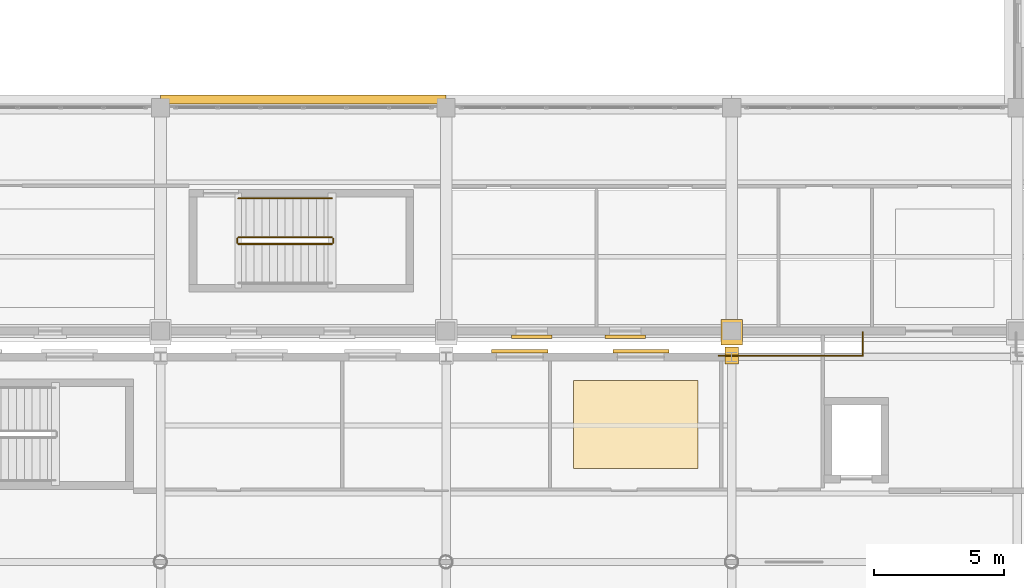
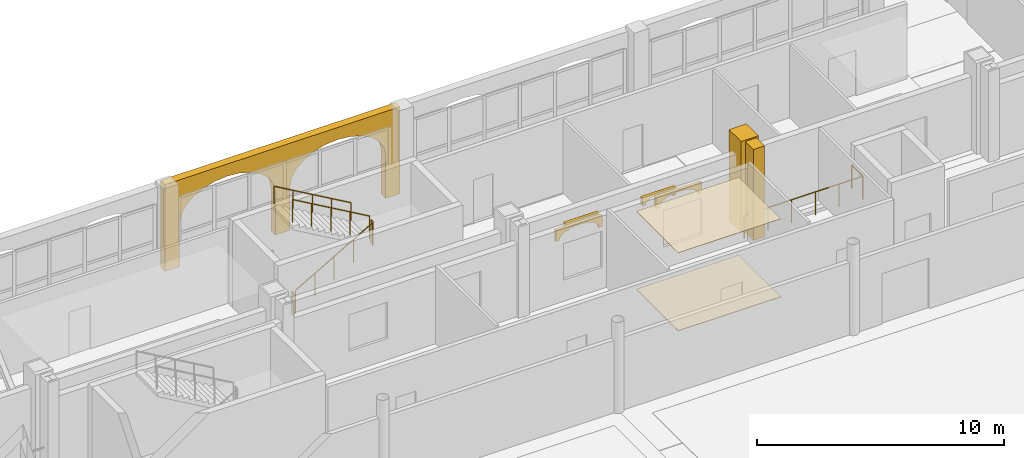
# One storey, part 138 of 156: 9 coverings, 7 railings.
"""IFC4 building model written with IfcOpenShell, lengths in metres."""

from ifc_helpers import new_model, si_unit, direction, frame, origin, origin_2d, place, context, subcontext, project, spatial, polyline, rectangle, circle, outline, extrude, material, layer, layer_set, type_object, element, save


model = new_model("IFC4")

# Units and contexts
model_context = context("Model", 3, precision=1e-05, world=origin(), true_north=direction((0.0, 1.0)))
body_context = subcontext(model_context, "Body", "Model", "MODEL_VIEW")
ifc_project = project(units=[si_unit("LENGTHUNIT", "METRE"), si_unit("AREAUNIT", "SQUARE_METRE"), si_unit("VOLUMEUNIT", "CUBIC_METRE"), si_unit("PLANEANGLEUNIT", "RADIAN"), si_unit("MASSUNIT", "GRAM", prefix="KILO")], contexts=[model_context])

# Site, building, storey
site_placement = place(None, origin())
site = spatial("IfcSite", under=ifc_project, at=site_placement, CompositionType="ELEMENT")
building_placement = place(site_placement, origin())
building = spatial("IfcBuilding", under=site, at=building_placement, Name="Caurita Quay Ferry Terminal", CompositionType="ELEMENT")
storey_placement = place(building_placement, frame((0.0, 0.0, 5.39990234375)))
storey = spatial("IfcBuildingStorey", under=building, at=storey_placement, Name="L01", CompositionType="ELEMENT", Elevation=5.39990234375)

# Coverings
ifc_material_1 = material(Name="Warm-white lime stucco masonry", Category="masonry")
ifc_layer_1 = layer(ifc_material_1, 0.360107421875, Name="Spanish Colonial semicircular lime-stucco portales arcade 360 mm")
ifc_layer_set_1 = layer_set([ifc_layer_1], Name="Warm-white lime stucco masonry")
covering_type_1 = type_object("IfcCoveringType", Name="COV-ARC-CLD", PredefinedType="CLADDING", material=ifc_layer_set_1)
covering_1_placement = place(storey_placement, frame((33.0, 80.52001953125, 0.0), z_axis=(0.0, 0.0, 1.0), x_axis=(1.0, 0.0, 0.0)))
element("IfcCovering", 1, at=covering_1_placement, inside=storey, type_object=covering_type_1, Name="L01 Courtyard South Cloister Arcade 055", PredefinedType="CLADDING", context=body_context, shape_type="SweptSolid", body=[
    extrude(outline(polyline([(0.0, 0.0), (0.679931640625, 0.0), (0.679931640625, 2.14990234375), (0.75634765625, 2.55126953125), (0.980224609375, 2.925048828125), (1.336181640625, 3.24609375), (1.800048828125, 3.492431640625), (2.34033203125, 3.647216796875), (2.919921875, 3.699951171875), (3.499755859375, 3.647216796875), (4.0400390625, 3.492431640625), (4.50390625, 3.24609375), (4.85986328125, 2.925048828125), (5.083740234375, 2.55126953125), (5.159912109375, 2.14990234375), (5.159912109375, 0.0), (5.840087890625, 0.0), (5.840087890625, 2.14990234375), (5.916259765625, 2.55126953125), (6.14013671875, 2.925048828125), (6.49609375, 3.24609375), (6.9599609375, 3.492431640625), (7.500244140625, 3.647216796875), (8.080078125, 3.699951171875), (8.65966796875, 3.647216796875), (9.199951171875, 3.492431640625), (9.663818359375, 3.24609375), (10.019775390625, 2.925048828125), (10.24365234375, 2.55126953125), (10.320068359375, 2.14990234375), (10.320068359375, 0.0), (11.0, 0.0), (11.0, 4.300048828125), (0.0, 4.300048828125), (0.0, 0.0)])), frame((0.0, 0.18017578125, 0.0), z_axis=(0.0, -1.0, 0.0), x_axis=(1.0, 0.0, 0.0)), (0.0, 0.0, 1.0), 0.360107421875),
])
ifc_material_2 = material(Name="Acoustic mineral fibre tile", Category="finish")
ifc_layer_2 = layer(ifc_material_2, 0.02001953125, Name="Acoustic mineral-fibre suspended ceiling 20 mm")
ifc_layer_set_2 = layer_set([ifc_layer_2], Name="Acoustic mineral fibre tile")
covering_type_2 = type_object("IfcCoveringType", Name="COV-CEIL-020", PredefinedType="CEILING", material=ifc_layer_set_2)
covering_2_placement = place(storey_placement, frame((0.0, 0.0, 3.858154296875)))
element("IfcCovering", 2, at=covering_2_placement, inside=storey, type_object=covering_type_2, Name="Concourse Parenting and Nursing Room L01 Acoustic Ceiling", PredefinedType="CEILING", context=body_context, shape_type="SweptSolid", body=[
    extrude(outline(polyline([(48.89990234375, 66.300048828125), (53.699951171875, 66.300048828125), (53.699951171875, 69.699951171875), (48.89990234375, 69.699951171875), (48.89990234375, 66.300048828125)])), origin(), (0.0, 0.0, 1.0), 0.02001953125),
])
ifc_material_3 = material(Name="Polished marine terrazzo tile", Category="finish")
ifc_layer_3 = layer(ifc_material_3, 0.02490234375, Name="Polished marine terrazzo floor finish 25 mm")
ifc_layer_set_3 = layer_set([ifc_layer_3], Name="Polished marine terrazzo tile")
covering_type_3 = type_object("IfcCoveringType", Name="COV-FLR-025", PredefinedType="FLOORING", material=ifc_layer_set_3)
covering_3_placement = place(storey_placement, origin())
element("IfcCovering", 3, at=covering_3_placement, inside=storey, type_object=covering_type_3, Name="Concourse Parenting and Nursing Room L01 Terrazzo Flooring", PredefinedType="FLOORING", context=body_context, shape_type="SweptSolid", body=[
    extrude(outline(polyline([(48.89990234375, 66.300048828125), (53.699951171875, 66.300048828125), (53.699951171875, 69.699951171875), (48.89990234375, 69.699951171875), (48.89990234375, 66.300048828125)])), origin(), (0.0, 0.0, 1.0), 0.025146484375),
])
ifc_layer_4 = layer(ifc_material_1, 0.179931640625, Name="Classical engaged lime-stucco facade pilaster cladding 180 mm")
ifc_layer_set_4 = layer_set([ifc_layer_4], Name="Warm-white lime stucco masonry")
covering_type_4 = type_object("IfcCoveringType", Name="COV-PIL-CLD", PredefinedType="CLADDING", material=ifc_layer_set_4)
covering_4_placement = place(storey_placement, frame((55.0, 70.64990234375, 0.0), z_axis=(0.0, 0.0, 1.0), x_axis=(1.0, 0.0, 0.0)))
element("IfcCovering", 4, at=covering_4_placement, inside=storey, type_object=covering_type_4, Name="L01 Classical Engaged Pilaster 0052", PredefinedType="CLADDING", context=body_context, shape_type="SweptSolid", body=[
    extrude(rectangle(XDim=0.513671875, YDim=0.656005859375, at=origin_2d()), origin(), (0.0, 0.0, 1.0), 4.5),
])
covering_5_placement = place(storey_placement, frame((55.0, 71.550048828125, 0.0), z_axis=(0.0, 0.0, 1.0), x_axis=(1.0, 0.0, 0.0)))
element("IfcCovering", 5, at=covering_5_placement, inside=storey, type_object=covering_type_4, Name="L01 Classical Engaged Pilaster 0357", PredefinedType="CLADDING", context=body_context, shape_type="SweptSolid", body=[
    extrude(rectangle(XDim=0.820068359375, YDim=0.97998046875, at=origin_2d()), origin(), (0.0, 0.0, 1.0), 4.5),
])
ifc_material_4 = material(Name="Coral stone ashlar cladding", Category="masonry")
ifc_layer_5 = layer(ifc_material_4, 0.139892578125, Name="Spanish Colonial semicircular arched window surround 140 mm")
ifc_layer_set_5 = layer_set([ifc_layer_5], Name="Coral stone ashlar cladding")
covering_type_5 = type_object("IfcCoveringType", Name="COV-WHD-MLD", PredefinedType="MOLDING", material=ifc_layer_set_5)
covering_6_placement = place(storey_placement, frame((46.52001953125, 71.385009765625, 2.72998046875), z_axis=(0.0, 0.0, 1.0), x_axis=(1.0, 0.0, 0.0)))
element("IfcCovering", 6, at=covering_6_placement, inside=storey, type_object=covering_type_5, Name="L01 Arched Window Surround 060", PredefinedType="MOLDING", context=body_context, shape_type="SweptSolid", body=[
    extrude(outline(polyline([(0.0, 0.0), (0.159912109375, 0.0), (0.159912109375, 0.0400390625), (0.1904296875, 0.12158203125), (0.2783203125, 0.195068359375), (0.41552734375, 0.253662109375), (0.58837890625, 0.291015625), (0.780029296875, 0.303955078125), (0.9716796875, 0.291015625), (1.14453125, 0.253662109375), (1.28173828125, 0.195068359375), (1.36962890625, 0.12158203125), (1.400146484375, 0.0400390625), (1.400146484375, 0.0), (1.56005859375, 0.0), (1.56005859375, 0.384033203125), (0.0, 0.384033203125), (0.0, 0.0)])), frame((0.0, 0.06982421875, 0.0), z_axis=(0.0, -1.0, 0.0), x_axis=(1.0, 0.0, 0.0)), (0.0, 0.0, 1.0), 0.139892578125),
])
covering_7_placement = place(storey_placement, frame((50.1201171875, 71.385009765625, 2.72998046875), z_axis=(0.0, 0.0, 1.0), x_axis=(1.0, 0.0, 0.0)))
element("IfcCovering", 7, at=covering_7_placement, inside=storey, type_object=covering_type_5, Name="L01 Arched Window Surround 061", PredefinedType="MOLDING", context=body_context, shape_type="SweptSolid", body=[
    extrude(outline(polyline([(0.0, 0.0), (0.159912109375, 0.0), (0.159912109375, 0.0400390625), (0.1904296875, 0.12158203125), (0.2783203125, 0.195068359375), (0.41552734375, 0.253662109375), (0.58837890625, 0.291015625), (0.77978515625, 0.303955078125), (0.971435546875, 0.291015625), (1.144287109375, 0.253662109375), (1.281494140625, 0.195068359375), (1.369384765625, 0.12158203125), (1.39990234375, 0.0400390625), (1.39990234375, 0.0), (1.559814453125, 0.0), (1.559814453125, 0.384033203125), (0.0, 0.384033203125), (0.0, 0.0)])), frame((0.0, 0.06982421875, 0.0), z_axis=(0.0, -1.0, 0.0), x_axis=(1.0, 0.0, 0.0)), (0.0, 0.0, 1.0), 0.139892578125),
])
for number, where, z_axis, x_axis, name in (
    (8, (52.579833984375, 70.81494140625, 2.830078125), (0.0, 0.0, 1.0), (-1.0, 0.0, 0.0), "L01 Arched Window Surround 147"),
    (9, (47.915283203125, 70.81494140625, 2.830078125), (0.0, 0.0, 1.0), (-1.0, 0.0, 0.0), "L01 Arched Window Surround 148"),
):
    element("IfcCovering", number, at=place(storey_placement, frame(where, z_axis=z_axis, x_axis=x_axis)), inside=storey, type_object=covering_type_5, Name=name, PredefinedType="MOLDING", context=body_context, shape_type="SweptSolid", body=[
        extrude(outline(polyline([(0.0, 0.0), (0.159912109375, 0.0), (0.159912109375, 0.0400390625), (0.205078125, 0.1728515625), (0.335693359375, 0.292724609375), (0.539306640625, 0.387939453125), (0.795654296875, 0.448974609375), (1.080078125, 0.469970703125), (1.3642578125, 0.448974609375), (1.62060546875, 0.387939453125), (1.82421875, 0.292724609375), (1.954833984375, 0.1728515625), (2.0, 0.0400390625), (2.0, 0.0), (2.159912109375, 0.0), (2.159912109375, 0.550048828125), (0.0, 0.550048828125), (0.0, 0.0)])), frame((0.0, 0.06982421875, 0.0), z_axis=(0.0, -1.0, 0.0), x_axis=(1.0, 0.0, 0.0)), (0.0, 0.0, 1.0), 0.139892578125),
    ])

# Railings
ifc_material_5 = material(Name="Bronze architectural metalwork", Category="metal")
railing_type_1 = type_object("IfcRailingType", Name="RL-HND-090", PredefinedType="HANDRAIL", material=ifc_material_5)
railing_1_placement = place(storey_placement, frame((39.60009765625, 76.7099609375, 2.423095703125)))
element("IfcRailing", 10, at=railing_1_placement, inside=storey, type_object=railing_type_1, Name="L01 ST-03 stair handrail 2", PredefinedType="HANDRAIL", context=body_context, shape_type="SweptSolid", body=[
    extrude(circle(Radius=0.02392578125, at=origin_2d()), frame((0.0, 0.0, 0.8759765625), z_axis=(-0.866193409371, 0.0, 0.499708892819), x_axis=(0.0, -1.0, 0.0)), (0.0, 0.0, 1.0), 4.15625),
    extrude(circle(Radius=0.02099609375, at=origin_2d()), origin(), (0.0, 0.0, 1.0), 0.851806640625),
    extrude(circle(Radius=0.02099609375, at=origin_2d()), frame((-0.89990234375, 0.0, 0.519287109375)), (0.0, 0.0, 1.0), 0.851806640625),
    extrude(circle(Radius=0.02099609375, at=origin_2d()), frame((-1.800048828125, 0.0, 1.03857421875)), (0.0, 0.0, 1.0), 0.851806640625),
    extrude(circle(Radius=0.02099609375, at=origin_2d()), frame((-2.7001953125, 0.0, 1.5576171875)), (0.0, 0.0, 1.0), 0.851806640625),
    extrude(circle(Radius=0.02099609375, at=origin_2d()), frame((-3.60009765625, 0.0, 2.076904296875)), (0.0, 0.0, 1.0), 0.851806640625),
])
railing_type_2 = type_object("IfcRailingType", Name="RL-REJA-115", PredefinedType="BALUSTRADE", material=ifc_material_5)
railing_2_placement = place(storey_placement, frame((54.5, 70.64990234375, 0.0)))
element("IfcRailing", 11, at=railing_2_placement, inside=storey, type_object=railing_type_2, Name="L01 North East Link Bridge West Guard (045)", PredefinedType="BALUSTRADE", context=body_context, shape_type="SweptSolid", body=[
    extrude(circle(Radius=0.02392578125, at=origin_2d()), frame((0.0, 0.0, 1.1259765625), z_axis=(1.0, 0.0, 0.0), x_axis=(0.0, 1.0, 0.0)), (0.0, 0.0, 1.0), 5.550048828125),
    extrude(circle(Radius=0.02099609375, at=origin_2d()), origin(), (0.0, 0.0, 1.0), 1.101806640625),
    extrude(circle(Radius=0.02099609375, at=origin_2d()), frame((1.110107421875, 0.0, 0.0)), (0.0, 0.0, 1.0), 1.101806640625),
    extrude(circle(Radius=0.02099609375, at=origin_2d()), frame((2.219970703125, 0.0, 0.0)), (0.0, 0.0, 1.0), 1.101806640625),
    extrude(circle(Radius=0.02099609375, at=origin_2d()), frame((3.330078125, 0.0, 0.0)), (0.0, 0.0, 1.0), 1.101806640625),
    extrude(circle(Radius=0.02099609375, at=origin_2d()), frame((4.43994140625, 0.0, 0.0)), (0.0, 0.0, 1.0), 1.101806640625),
    extrude(circle(Radius=0.02099609375, at=origin_2d()), frame((5.550048828125, 0.0, 0.0)), (0.0, 0.0, 1.0), 1.101806640625),
])
railing_3_placement = place(storey_placement, frame((60.050048828125, 70.64990234375, 0.0)))
element("IfcRailing", 12, at=railing_3_placement, inside=storey, type_object=railing_type_2, Name="L01 North East Link Bridge West Guard (046)", PredefinedType="BALUSTRADE", context=body_context, shape_type="SweptSolid", body=[
    extrude(circle(Radius=0.02392578125, at=origin_2d()), frame((0.0, 0.0, 1.1259765625), z_axis=(0.0, 1.0, 0.0), x_axis=(-1.0, 0.0, 0.0)), (0.0, 0.0, 1.0), 0.900146484375),
    extrude(circle(Radius=0.02099609375, at=origin_2d()), origin(), (0.0, 0.0, 1.0), 1.101806640625),
    extrude(circle(Radius=0.02099609375, at=origin_2d()), frame((0.0, 0.900146484375, 0.0)), (0.0, 0.0, 1.0), 1.101806640625),
])
railing_4_placement = place(storey_placement, frame((36.0, 74.949951171875, 0.173095703125)))
element("IfcRailing", 13, at=railing_4_placement, inside=storey, type_object=railing_type_2, Name="L01 ST-03 stair guard 1", PredefinedType="BALUSTRADE", context=body_context, shape_type="SweptSolid", body=[
    extrude(circle(Radius=0.02392578125, at=origin_2d()), frame((0.0, 0.0, 1.1259765625), z_axis=(0.866193409371, 0.0, 0.499708892819), x_axis=(0.0, 1.0, 0.0)), (0.0, 0.0, 1.0), 4.15625),
    extrude(circle(Radius=0.02099609375, at=origin_2d()), origin(), (0.0, 0.0, 1.0), 1.101806640625),
    extrude(circle(Radius=0.02099609375, at=origin_2d()), frame((0.89990234375, 0.0, 0.519287109375)), (0.0, 0.0, 1.0), 1.101806640625),
    extrude(circle(Radius=0.02099609375, at=origin_2d()), frame((1.800048828125, 0.0, 1.03857421875)), (0.0, 0.0, 1.0), 1.101806640625),
    extrude(circle(Radius=0.02099609375, at=origin_2d()), frame((2.7001953125, 0.0, 1.5576171875)), (0.0, 0.0, 1.0), 1.101806640625),
    extrude(circle(Radius=0.02099609375, at=origin_2d()), frame((3.60009765625, 0.0, 2.076904296875)), (0.0, 0.0, 1.0), 1.101806640625),
])
railing_5_placement = place(storey_placement, frame((39.64990234375, 75.0, 2.25)))
element("IfcRailing", 14, at=railing_5_placement, inside=storey, type_object=railing_type_2, Name="L01 ST-03 stair guard 2", PredefinedType="BALUSTRADE", context=body_context, shape_type="SweptSolid", body=[
    extrude(circle(Radius=0.02392578125, at=origin_2d()), frame((0.0, 0.0, 1.1259765625), z_axis=(0.0, 1.0, 0.0), x_axis=(-1.0, 0.0, 0.0)), (0.0, 0.0, 1.0), 0.159912109375),
    extrude(circle(Radius=0.02099609375, at=origin_2d()), origin(), (0.0, 0.0, 1.0), 1.101806640625),
    extrude(circle(Radius=0.02099609375, at=origin_2d()), frame((0.0, 0.159912109375, 0.0)), (0.0, 0.0, 1.0), 1.101806640625),
])
railing_6_placement = place(storey_placement, frame((39.60009765625, 75.2099609375, 2.423095703125)))
element("IfcRailing", 15, at=railing_6_placement, inside=storey, type_object=railing_type_2, Name="L01 ST-03 stair guard 3", PredefinedType="BALUSTRADE", context=body_context, shape_type="SweptSolid", body=[
    extrude(circle(Radius=0.02392578125, at=origin_2d()), frame((0.0, 0.0, 1.1259765625), z_axis=(-0.866193409371, 0.0, 0.499708892819), x_axis=(0.0, -1.0, 0.0)), (0.0, 0.0, 1.0), 4.15625),
    extrude(circle(Radius=0.02099609375, at=origin_2d()), origin(), (0.0, 0.0, 1.0), 1.101806640625),
    extrude(circle(Radius=0.02099609375, at=origin_2d()), frame((-0.89990234375, 0.0, 0.519287109375)), (0.0, 0.0, 1.0), 1.101806640625),
    extrude(circle(Radius=0.02099609375, at=origin_2d()), frame((-1.800048828125, 0.0, 1.03857421875)), (0.0, 0.0, 1.0), 1.101806640625),
    extrude(circle(Radius=0.02099609375, at=origin_2d()), frame((-2.7001953125, 0.0, 1.5576171875)), (0.0, 0.0, 1.0), 1.101806640625),
    extrude(circle(Radius=0.02099609375, at=origin_2d()), frame((-3.60009765625, 0.0, 2.076904296875)), (0.0, 0.0, 1.0), 1.101806640625),
])
railing_7_placement = place(storey_placement, frame((35.949951171875, 75.0, 0.0)))
element("IfcRailing", 16, at=railing_7_placement, inside=storey, type_object=railing_type_2, Name="L01 ST-03 stair guard 4", PredefinedType="BALUSTRADE", context=body_context, shape_type="SweptSolid", body=[
    extrude(circle(Radius=0.02392578125, at=origin_2d()), frame((0.0, 0.0, 1.1259765625), z_axis=(0.0, 1.0, 0.0), x_axis=(-1.0, 0.0, 0.0)), (0.0, 0.0, 1.0), 0.159912109375),
    extrude(circle(Radius=0.02099609375, at=origin_2d()), origin(), (0.0, 0.0, 1.0), 1.101806640625),
    extrude(circle(Radius=0.02099609375, at=origin_2d()), frame((0.0, 0.159912109375, 0.0)), (0.0, 0.0, 1.0), 1.101806640625),
])

save(model, "model.ifc")
